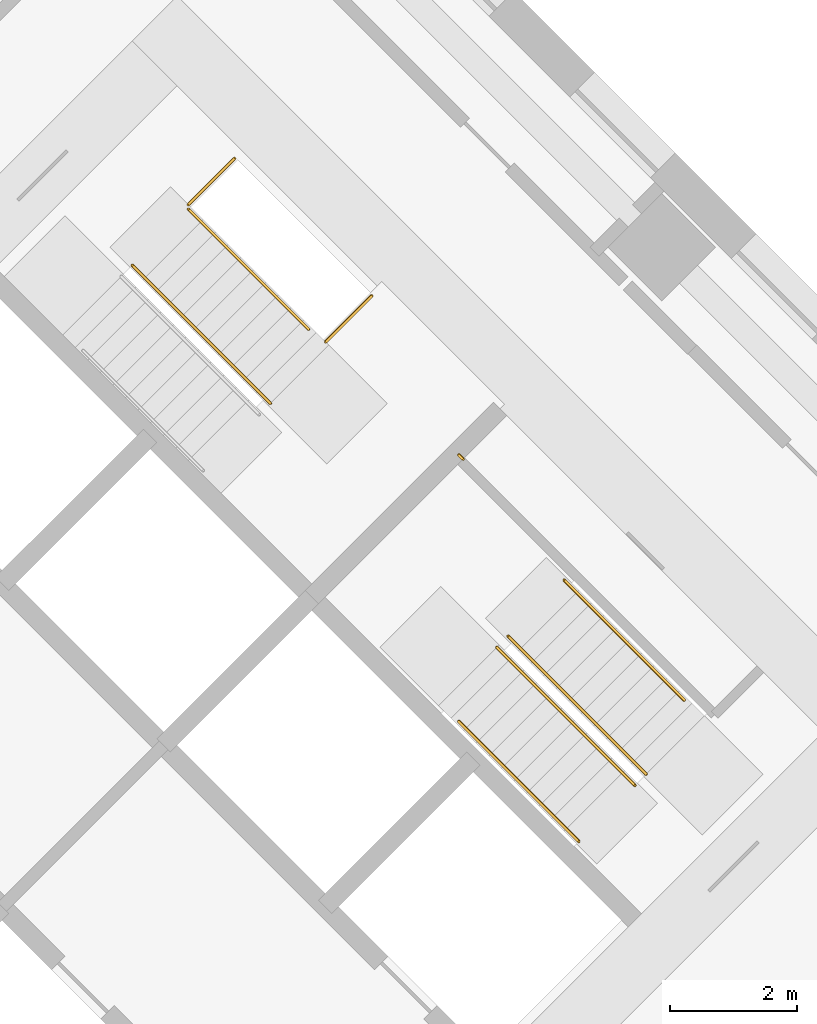
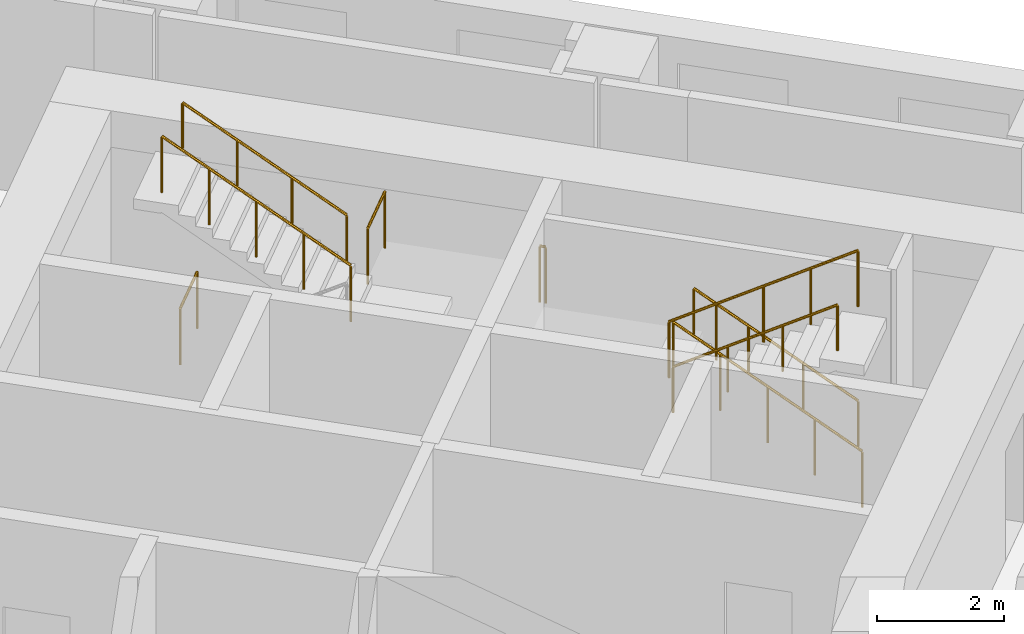
# One storey, part 13 of 13: 9 railings.
"""IFC4 building model written with IfcOpenShell, lengths in metres."""

from ifc_helpers import new_model, si_unit, direction, frame, origin, origin_2d, place, context, subcontext, project, spatial, circle, extrude, material, type_object, element, save


model = new_model("IFC4")

# Units and contexts
model_context = context("Model", 3, precision=1e-05, world=origin(), true_north=direction((0.0, 1.0)))
body_context = subcontext(model_context, "Body", "Model", "MODEL_VIEW")
ifc_project = project(units=[si_unit("LENGTHUNIT", "METRE"), si_unit("AREAUNIT", "SQUARE_METRE"), si_unit("VOLUMEUNIT", "CUBIC_METRE"), si_unit("PLANEANGLEUNIT", "RADIAN"), si_unit("MASSUNIT", "GRAM", prefix="KILO")], contexts=[model_context])

# Site, building, storey
site_placement = place(None, origin())
site = spatial("IfcSite", under=ifc_project, at=site_placement, CompositionType="ELEMENT")
building_placement = place(site_placement, origin())
building = spatial("IfcBuilding", under=site, at=building_placement, Name="Windrow Commons", CompositionType="ELEMENT")
storey_placement = place(building_placement, frame((0.0, 0.0, 14.4)))
storey = spatial("IfcBuildingStorey", under=building, at=storey_placement, Name="L03", CompositionType="ELEMENT", Elevation=14.4)

# Railings
ifc_material_1 = material(Name="Steel S355", Category="steel")
railing_type_1 = type_object("IfcRailingType", Name="Core stair guard 1100", PredefinedType="GUARDRAIL", material=ifc_material_1)
railing_1_placement = place(storey_placement, frame((88.3075, 54.2658, 2.275)))
element("IfcRailing", 1, at=railing_1_placement, inside=storey, type_object=railing_type_1, Name="L03 ST-B1 stair guard 2", PredefinedType="GUARDRAIL", context=body_context, shape_type="SweptSolid", body=[
    extrude(circle(Radius=0.024, at=origin_2d()), frame((0.0, 0.0, 1.076), z_axis=(-0.5996262107, 0.5996262107, 0.5299969951), x_axis=(-0.7071067812, -0.7071067812, 0.0)), (0.0, 0.0, 1.0), 3.6321),
    extrude(circle(Radius=0.021, at=origin_2d()), origin(), (0.0, 0.0, 1.0), 1.052),
    extrude(circle(Radius=0.021, at=origin_2d()), frame((-0.5445, 0.5445, 0.4813)), (0.0, 0.0, 1.0), 1.052),
    extrude(circle(Radius=0.021, at=origin_2d()), frame((-1.089, 1.089, 0.9625)), (0.0, 0.0, 1.0), 1.052),
    extrude(circle(Radius=0.021, at=origin_2d()), frame((-1.6334, 1.6334, 1.4438)), (0.0, 0.0, 1.0), 1.052),
    extrude(circle(Radius=0.021, at=origin_2d()), frame((-2.1779, 2.1779, 1.925)), (0.0, 0.0, 1.0), 1.052),
])
railing_2_placement = place(storey_placement, frame((87.0135, 57.3982, 0.0)))
element("IfcRailing", 2, at=railing_2_placement, inside=storey, type_object=railing_type_1, Name="L03 ST-B1 stair guard 3", PredefinedType="GUARDRAIL", context=body_context, shape_type="SweptSolid", body=[
    extrude(circle(Radius=0.024, at=origin_2d()), frame((0.0, 0.0, 1.076), z_axis=(0.7070582378, 0.7071553212, 0.0), x_axis=(-0.7071553212, 0.7070582378, 0.0)), (0.0, 0.0, 1.0), 1.03),
    extrude(circle(Radius=0.021, at=origin_2d()), origin(), (0.0, 0.0, 1.0), 1.052),
    extrude(circle(Radius=0.021, at=origin_2d()), frame((0.7283, 0.7284, 0.0)), (0.0, 0.0, 1.0), 1.052),
])
railing_3_placement = place(storey_placement, frame((89.1773, 55.2345, 2.1)))
element("IfcRailing", 3, at=railing_3_placement, inside=storey, type_object=railing_type_1, Name="L03 ST-B1 stair guard 4", PredefinedType="GUARDRAIL", context=body_context, shape_type="SweptSolid", body=[
    extrude(circle(Radius=0.024, at=origin_2d()), frame((0.0, 0.0, 1.076), z_axis=(0.7071067812, 0.7071067812, 0.0), x_axis=(-0.7071067812, 0.7071067812, 0.0)), (0.0, 0.0, 1.0), 1.03),
    extrude(circle(Radius=0.021, at=origin_2d()), origin(), (0.0, 0.0, 1.0), 1.052),
    extrude(circle(Radius=0.021, at=origin_2d()), frame((0.7283, 0.7283, 0.0)), (0.0, 0.0, 1.0), 1.052),
])
railing_4_placement = place(storey_placement, frame((94.2296, 48.4215, 0.175)))
element("IfcRailing", 4, at=railing_4_placement, inside=storey, type_object=railing_type_1, Name="L03 ST-B2 stair guard 1", PredefinedType="GUARDRAIL", context=body_context, shape_type="SweptSolid", body=[
    extrude(circle(Radius=0.024, at=origin_2d()), frame((0.0, 0.0, 1.076), z_axis=(-0.5996262107, 0.5996262107, 0.5299969951), x_axis=(-0.7071067812, -0.7071067812, 0.0)), (0.0, 0.0, 1.0), 3.6321),
    extrude(circle(Radius=0.021, at=origin_2d()), origin(), (0.0, 0.0, 1.0), 1.052),
    extrude(circle(Radius=0.021, at=origin_2d()), frame((-0.5445, 0.5445, 0.4813)), (0.0, 0.0, 1.0), 1.052),
    extrude(circle(Radius=0.021, at=origin_2d()), frame((-1.089, 1.089, 0.9625)), (0.0, 0.0, 1.0), 1.052),
    extrude(circle(Radius=0.021, at=origin_2d()), frame((-1.6334, 1.6334, 1.4438)), (0.0, 0.0, 1.0), 1.052),
    extrude(circle(Radius=0.021, at=origin_2d()), frame((-2.1779, 2.1779, 1.925)), (0.0, 0.0, 1.0), 1.052),
])
railing_5_placement = place(storey_placement, frame((91.8749, 50.4226, 2.275)))
element("IfcRailing", 5, at=railing_5_placement, inside=storey, type_object=railing_type_1, Name="L03 ST-B2 stair guard 2", PredefinedType="GUARDRAIL", context=body_context, shape_type="SweptSolid", body=[
    extrude(circle(Radius=0.024, at=origin_2d()), frame((0.0, 0.0, 1.076), z_axis=(0.5996262107, -0.5996262107, 0.5299969951), x_axis=(0.7071067812, 0.7071067812, 0.0)), (0.0, 0.0, 1.0), 3.6321),
    extrude(circle(Radius=0.021, at=origin_2d()), origin(), (0.0, 0.0, 1.0), 1.052),
    extrude(circle(Radius=0.021, at=origin_2d()), frame((0.5445, -0.5445, 0.4813)), (0.0, 0.0, 1.0), 1.052),
    extrude(circle(Radius=0.021, at=origin_2d()), frame((1.089, -1.089, 0.9625)), (0.0, 0.0, 1.0), 1.052),
    extrude(circle(Radius=0.021, at=origin_2d()), frame((1.6334, -1.6334, 1.4438)), (0.0, 0.0, 1.0), 1.052),
    extrude(circle(Radius=0.021, at=origin_2d()), frame((2.1779, -2.1779, 1.925)), (0.0, 0.0, 1.0), 1.052),
])
railing_6_placement = place(storey_placement, frame((91.3446, 53.3854, 2.1)))
element("IfcRailing", 6, at=railing_6_placement, inside=storey, type_object=railing_type_1, Name="L03 ST-B2 stair guard 3", PredefinedType="GUARDRAIL", context=body_context, shape_type="SweptSolid", body=[
    extrude(circle(Radius=0.024, at=origin_2d()), frame((0.0, 0.0, 1.076), z_axis=(-0.7076063266, 0.7066068826, 0.0), x_axis=(-0.7066068826, -0.7076063266, 0.0)), (0.0, 0.0, 1.0), 0.1001),
    extrude(circle(Radius=0.021, at=origin_2d()), origin(), (0.0, 0.0, 1.0), 1.052),
    extrude(circle(Radius=0.021, at=origin_2d()), frame((-0.0708, 0.0707, 0.0)), (0.0, 0.0, 1.0), 1.052),
])
ifc_material_2 = material(Name="Steel S355", Category="steel")
railing_type_2 = type_object("IfcRailingType", Name="Core stair handrail 900", PredefinedType="HANDRAIL", material=ifc_material_2)
for number, where, name in (
    (7, (88.9086, 55.4325, 2.525), "L03 ST-B1 stair handrail 2"),
    (8, (94.8306, 49.5883, 0.425), "L03 ST-B2 stair handrail 1"),
):
    element("IfcRailing", number, at=place(storey_placement, frame(where)), inside=storey, type_object=railing_type_2, Name=name, PredefinedType="HANDRAIL", context=body_context, shape_type="SweptSolid", body=[
        extrude(circle(Radius=0.024, at=origin_2d()), frame((0.0, 0.0, 0.876), z_axis=(-0.599641512, 0.5996098703, 0.5299981703), x_axis=(-0.7070881243, -0.7071254376, 0.0)), (0.0, 0.0, 1.0), 3.1604),
        extrude(circle(Radius=0.021, at=origin_2d()), origin(), (0.0, 0.0, 1.0), 0.852),
        extrude(circle(Radius=0.021, at=origin_2d()), frame((-0.6317, 0.6317, 0.5583)), (0.0, 0.0, 1.0), 0.852),
        extrude(circle(Radius=0.021, at=origin_2d()), frame((-1.2634, 1.2633, 1.1167)), (0.0, 0.0, 1.0), 0.852),
        extrude(circle(Radius=0.021, at=origin_2d()), frame((-1.8951, 1.895, 1.675)), (0.0, 0.0, 1.0), 0.852),
    ])
railing_7_placement = place(storey_placement, frame((91.2738, 49.2559, 2.525)))
element("IfcRailing", 9, at=railing_7_placement, inside=storey, type_object=railing_type_2, Name="L03 ST-B2 stair handrail 2", PredefinedType="HANDRAIL", context=body_context, shape_type="SweptSolid", body=[
    extrude(circle(Radius=0.024, at=origin_2d()), frame((0.0, 0.0, 0.876), z_axis=(0.599641512, -0.5996098703, 0.5299981703), x_axis=(0.7070881243, 0.7071254376, 0.0)), (0.0, 0.0, 1.0), 3.1604),
    extrude(circle(Radius=0.021, at=origin_2d()), origin(), (0.0, 0.0, 1.0), 0.852),
    extrude(circle(Radius=0.021, at=origin_2d()), frame((0.6317, -0.6317, 0.5583)), (0.0, 0.0, 1.0), 0.852),
    extrude(circle(Radius=0.021, at=origin_2d()), frame((1.2634, -1.2633, 1.1167)), (0.0, 0.0, 1.0), 0.852),
    extrude(circle(Radius=0.021, at=origin_2d()), frame((1.8951, -1.895, 1.675)), (0.0, 0.0, 1.0), 0.852),
])

save(model, "model.ifc")
